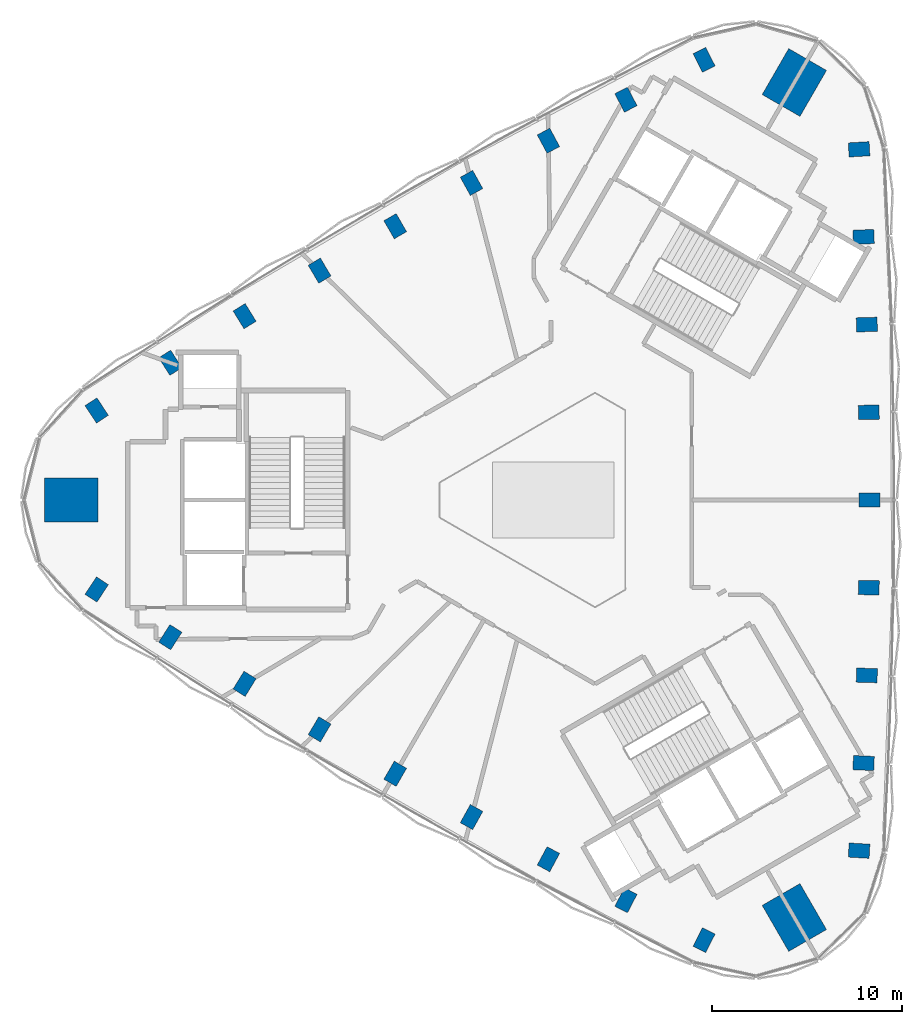
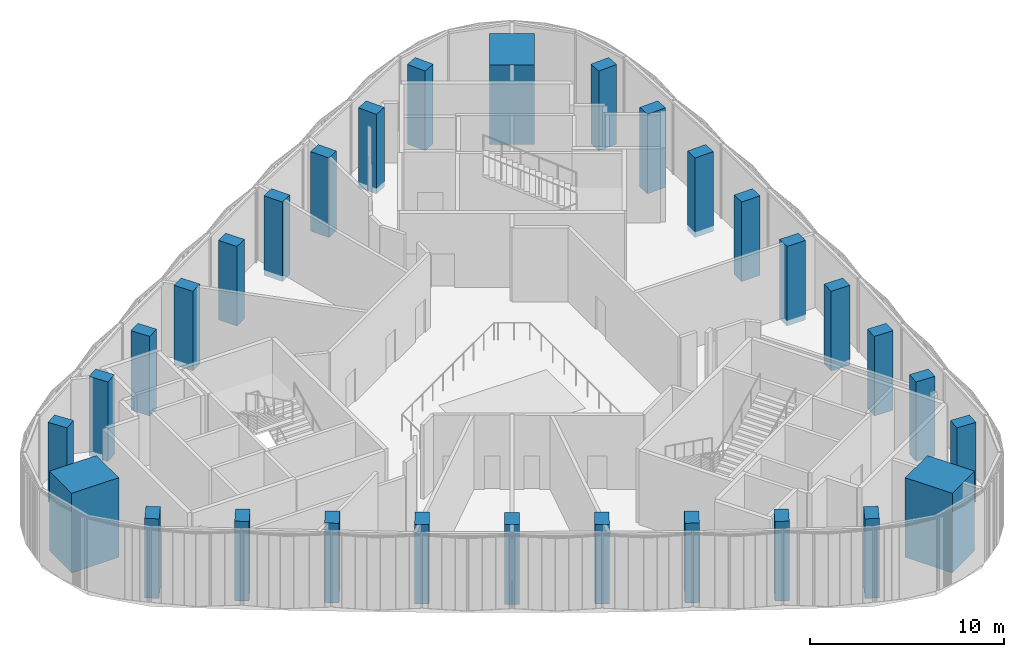
# One storey, part 1 of 15: 30 columns.
"""IFC4 building model written with IfcOpenShell, lengths in metres."""

from ifc_helpers import new_model, si_unit, direction, frame, origin, origin_2d, place, context, subcontext, project, spatial, rectangle, extrude, material, material_profile, profile_set, type_object, element, save


model = new_model("IFC4")

# Units and contexts
model_context = context("Model", 3, precision=1e-05, world=origin(), true_north=direction((0.0, 1.0)))
body_context = subcontext(model_context, "Body", "Model", "MODEL_VIEW")
ifc_project = project(units=[si_unit("LENGTHUNIT", "METRE"), si_unit("AREAUNIT", "SQUARE_METRE"), si_unit("VOLUMEUNIT", "CUBIC_METRE"), si_unit("PLANEANGLEUNIT", "RADIAN"), si_unit("MASSUNIT", "GRAM", prefix="KILO")], contexts=[model_context])

# Site, building, storey
site_placement = place(None, origin())
site = spatial("IfcSite", under=ifc_project, at=site_placement, CompositionType="ELEMENT")
building_placement = place(site_placement, origin())
building = spatial("IfcBuilding", under=site, at=building_placement, Name="Tamra Quay Hotel Tower", CompositionType="ELEMENT")
storey_placement = place(building_placement, frame((0.0, 0.0, 216.39990234375)))
storey = spatial("IfcBuildingStorey", under=building, at=storey_placement, Name="L54", CompositionType="ELEMENT", Elevation=216.39990234375)

# Columns
ifc_material = material(Name="Concrete M70", Category="concrete")
ifc_material_profile_1 = material_profile(ifc_material, rectangle(XDim=1.10009765625, YDim=0.75, at=origin_2d()), Name="COLUMN RC 750x1100 Z5")
ifc_profile_set_1 = profile_set([ifc_material_profile_1], Name="Concrete M70")
column_type_1 = type_object("IfcColumnType", Name="COLUMN RC 750x1100 Z5", PredefinedType="COLUMN", material=ifc_profile_set_1)
for number, where, z_axis, x_axis, name in (
    (1, (16.12548828125, -18.490966796875, -0.349853515625), (0.0, 0.0, 1.0), (-0.998292120165, 0.05841954139, 0.0), "COL-C5E01-L54"),
    (2, (16.36328125, -13.87158203125, -0.349853515625), (0.0, 0.0, 1.0), (-0.999033395056, 0.043957656467, 0.0), "COL-C5E02-L54"),
    (3, (16.533203125, -9.24951171875, -0.349853515625), (0.0, 0.0, 1.0), (-0.999578606696, 0.029027728727, 0.0), "COL-C5E03-L54"),
    (4, (16.63525390625, -4.625, -0.349853515625), (0.0, 0.0, 1.0), (-0.999888113, 0.014958659101, 0.0), "COL-C5E04-L54"),
    (5, (16.66943359375, 0.0, -0.349853515625), (0.0, 0.0, 1.0), (1.0, 0.0, 0.0), "COL-C5E05-L54"),
    (6, (16.63525390625, 4.625, -0.349853515625), (0.0, 0.0, 1.0), (0.999888113, 0.014958659101, 0.0), "COL-C5E06-L54"),
    (7, (16.533203125, 9.24951171875, -0.349853515625), (0.0, 0.0, 1.0), (0.999578606696, 0.029027728727, 0.0), "COL-C5E07-L54"),
    (8, (16.36328125, 13.87158203125, -0.349853515625), (0.0, 0.0, 1.0), (0.999033395056, 0.043957656467, 0.0), "COL-C5E08-L54"),
    (9, (16.12548828125, 18.490966796875, -0.349853515625), (0.0, 0.0, 1.0), (0.998292120165, 0.05841954139, 0.0), "COL-C5E09-L54"),
    (10, (7.950927734375, 23.210693359375, -0.349853515625), (0.0, 0.0, 1.0), (-0.448553253162, 0.893756107156, 0.0), "COL-C5NW01-L54"),
    (11, (3.83154296875, 21.10693359375, -0.349853515625), (0.0, 0.0, 1.0), (-0.461448250337, 0.887167127581, 0.0), "COL-C5NW02-L54"),
    (12, (-0.25634765625, 18.943115234375, -0.349853515625), (0.0, 0.0, 1.0), (-0.474650552857, 0.880174330842, 0.0), "COL-C5NW03-L54"),
    (13, (-4.312255859375, 16.718994140625, -0.349853515625), (0.0, 0.0, 1.0), (-0.486989477712, 0.87340783635, 0.0), "COL-C5NW04-L54"),
    (14, (-8.334716796875, 14.43603515625, -0.349853515625), (0.0, 0.0, 1.0), (-0.5, 0.866025403784, 0.0), "COL-C5NW05-L54"),
    (15, (-12.322998046875, 12.093994140625, -0.349853515625), (0.0, 0.0, 1.0), (-0.512898635288, 0.858449177249, 0.0), "COL-C5NW06-L54"),
    (16, (-16.277099609375, 9.693359375, -0.349853515625), (0.0, 0.0, 1.0), (-0.52492805384, 0.851146602115, 0.0), "COL-C5NW07-L54"),
    (17, (-20.19482421875, 7.235107421875, -0.349853515625), (0.0, 0.0, 1.0), (-0.537585144719, 0.843209471114, 0.0), "COL-C5NW08-L54"),
    (18, (-24.076416015625, 4.7197265625, -0.349853515625), (0.0, 0.0, 1.0), (-0.549738867003, 0.835336565766, 0.0), "COL-C5NW09-L54"),
    (19, (-24.076416015625, -4.7197265625, -0.349853515625), (0.0, 0.0, 1.0), (0.549738867003, 0.835336565766, 0.0), "COL-C5SW01-L54"),
    (20, (-20.19482421875, -7.235107421875, -0.349853515625), (0.0, 0.0, 1.0), (0.537585144719, 0.843209471114, 0.0), "COL-C5SW02-L54"),
    (21, (-16.277099609375, -9.693359375, -0.349853515625), (0.0, 0.0, 1.0), (0.52492805384, 0.851146602115, 0.0), "COL-C5SW03-L54"),
    (22, (-12.322998046875, -12.093994140625, -0.349853515625), (0.0, 0.0, 1.0), (0.512898635288, 0.858449177249, 0.0), "COL-C5SW04-L54"),
    (23, (-8.334716796875, -14.43603515625, -0.349853515625), (0.0, 0.0, 1.0), (0.5, 0.866025403784, 0.0), "COL-C5SW05-L54"),
    (24, (-4.312255859375, -16.718994140625, -0.349853515625), (0.0, 0.0, 1.0), (0.486989477712, 0.87340783635, 0.0), "COL-C5SW06-L54"),
    (25, (-0.25634765625, -18.943115234375, -0.349853515625), (0.0, 0.0, 1.0), (0.474650552857, 0.880174330842, 0.0), "COL-C5SW07-L54"),
    (26, (3.83154296875, -21.10693359375, -0.349853515625), (0.0, 0.0, 1.0), (0.461448250337, 0.887167127581, 0.0), "COL-C5SW08-L54"),
    (27, (7.950927734375, -23.210693359375, -0.349853515625), (0.0, 0.0, 1.0), (0.448553253162, 0.893756107156, 0.0), "COL-C5SW09-L54"),
):
    element("IfcColumn", number, at=place(storey_placement, frame(where, z_axis=z_axis, x_axis=x_axis)), inside=storey, type_object=column_type_1, Name=name, PredefinedType="COLUMN", context=body_context, shape_type="SweptSolid", body=[
        extrude(rectangle(XDim=1.10009765625, YDim=0.75, at=origin_2d()), origin(), (0.0, 0.0, 1.0), 5.0),
    ])
ifc_material_profile_2 = material_profile(ifc_material, rectangle(XDim=2.800048828125, YDim=2.300048828125, at=origin_2d()), Name="MEGA COLUMN RC 2300x2800 Z5")
ifc_profile_set_2 = profile_set([ifc_material_profile_2], Name="Concrete M70")
column_type_2 = type_object("IfcColumnType", Name="MEGA COLUMN RC 2300x2800 Z5", PredefinedType="COLUMN", material=ifc_profile_set_2)
for number, where, z_axis, x_axis, name in (
    (28, (12.710205078125, 22.0146484375, -0.349853515625), (0.0, 0.0, 1.0), (0.5, 0.866025403784, 0.0), "COL-M5NE-L54"),
    (29, (-25.42041015625, 0.0, -0.349853515625), (0.0, 0.0, 1.0), (1.0, 0.0, 0.0), "COL-M5W-L54"),
    (30, (12.710205078125, -22.0146484375, -0.349853515625), (0.0, 0.0, 1.0), (-0.5, 0.866025403784, 0.0), "COL-M5SE-L54"),
):
    element("IfcColumn", number, at=place(storey_placement, frame(where, z_axis=z_axis, x_axis=x_axis)), inside=storey, type_object=column_type_2, Name=name, PredefinedType="COLUMN", context=body_context, shape_type="SweptSolid", body=[
        extrude(rectangle(XDim=2.800048828125, YDim=2.300048828125, at=origin_2d()), origin(), (0.0, 0.0, 1.0), 5.0),
    ])

save(model, "model.ifc")
